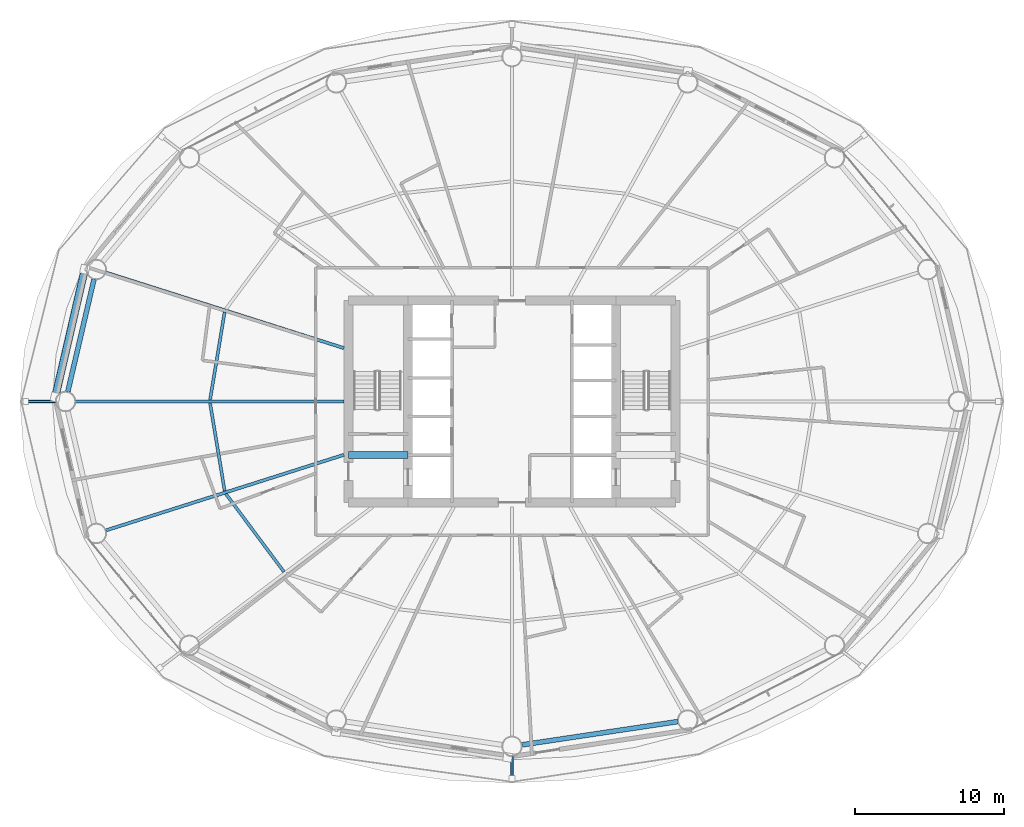
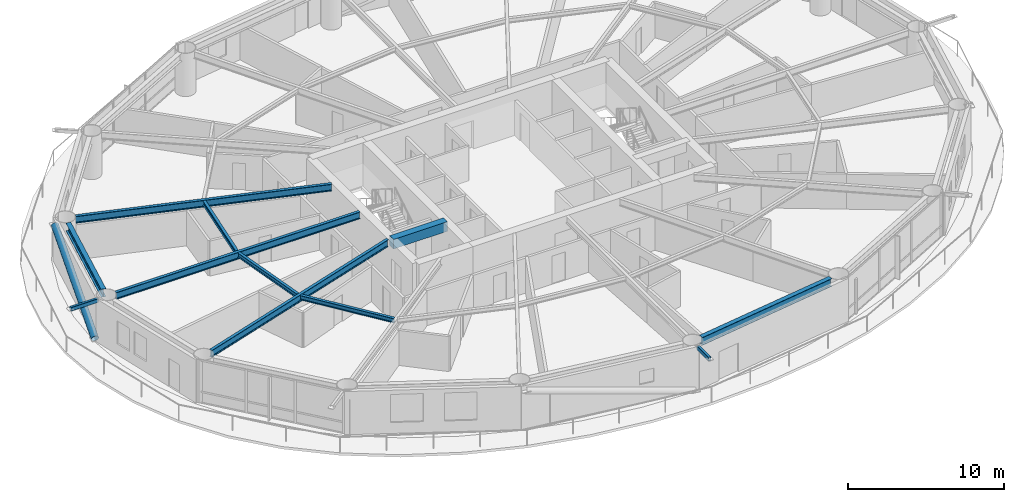
# One storey, part 5 of 26: 9 beams, 3 members.
"""IFC4 building model written with IfcOpenShell, lengths in metres."""

from ifc_helpers import new_model, si_unit, direction, frame, origin, origin_2d, place, context, subcontext, project, spatial, rectangle, hollow_rectangle, hollow_circle, i_section, extrude, material, material_profile, profile_set, type_object, element, save


model = new_model("IFC4")

# Units and contexts
model_context = context("Model", 3, precision=1e-05, world=origin(), true_north=direction((0.0, 1.0)))
body_context = subcontext(model_context, "Body", "Model", "MODEL_VIEW")
ifc_project = project(units=[si_unit("LENGTHUNIT", "METRE"), si_unit("AREAUNIT", "SQUARE_METRE"), si_unit("VOLUMEUNIT", "CUBIC_METRE"), si_unit("PLANEANGLEUNIT", "RADIAN"), si_unit("MASSUNIT", "GRAM", prefix="KILO")], contexts=[model_context])

# Site, building, storey
site_placement = place(None, origin())
site = spatial("IfcSite", under=ifc_project, at=site_placement, CompositionType="ELEMENT")
building_placement = place(site_placement, origin())
building = spatial("IfcBuilding", under=site, at=building_placement, Name="Sarneth Arch Tower", CompositionType="ELEMENT")
storey_placement = place(building_placement, frame((0.0, 0.0, 57.0)))
storey = spatial("IfcBuildingStorey", under=building, at=storey_placement, Name="L13", CompositionType="ELEMENT", Elevation=57.0)

# Beams
ifc_material_1 = material(Name="Steel S355", Category="steel")
ifc_material_profile_1 = material_profile(ifc_material_1, i_section(OverallWidth=0.2041015625, OverallDepth=0.35009765625, WebThickness=0.008544921875, FlangeThickness=0.01513671875, FilletRadius=0.014892578125, at=origin_2d()), Name="W360x72")
ifc_profile_set_1 = profile_set([ifc_material_profile_1], Name="Steel S355")
beam_type_1 = type_object("IfcBeamType", Name="BM-JOIST-360D", PredefinedType="JOIST", material=ifc_profile_set_1)
for number, where, z_axis, x_axis, name in (
    (1, (28.67138671875, 48.025146484375, 3.205078125), (-0.163917352659, -0.986474075431, 0.0), (0.986474075431, -0.163917352659, 0.0), "L13 Secondary floor joist 08"),
    (2, (27.687744140625, 41.89453125, 3.205078125), (0.163917352659, -0.986474075431, 0.0), (0.986474075431, 0.163917352659, 0.0), "L13 Secondary floor joist 09"),
):
    element("IfcBeam", number, at=place(storey_placement, frame(where, z_axis=z_axis, x_axis=x_axis)), inside=storey, type_object=beam_type_1, Name=name, PredefinedType="JOIST", context=body_context, shape_type="SweptSolid", body=[
        extrude(i_section(OverallWidth=0.2041015625, OverallDepth=0.35009765625, WebThickness=0.008544921875, FlangeThickness=0.01513671875, FilletRadius=0.014892578125, at=origin_2d()), origin(), (0.0, 0.0, 1.0), 6.000732421875),
    ])
beam_1_placement = place(storey_placement, frame((28.7529296875, 35.783447265625, 3.205078125), z_axis=(0.597453564101, -0.801903509621, 0.0), x_axis=(0.801903509621, 0.597453564101, 0.0)))
element("IfcBeam", 3, at=beam_1_placement, inside=storey, type_object=beam_type_1, Name="L13 Secondary floor joist 10", PredefinedType="JOIST", context=body_context, shape_type="SweptSolid", body=[
    extrude(i_section(OverallWidth=0.2041015625, OverallDepth=0.35009765625, WebThickness=0.008544921875, FlangeThickness=0.01513671875, FilletRadius=0.014892578125, at=origin_2d()), origin(), (0.0, 0.0, 1.0), 6.542724609375),
])
ifc_material_2 = material(Name="Concrete C50/60", Category="concrete")
ifc_material_profile_2 = material_profile(ifc_material_2, rectangle(XDim=0.5, YDim=0.75, at=origin_2d()), Name="RC-500x750")
ifc_profile_set_2 = profile_set([ifc_material_profile_2], Name="Concrete C50/60")
beam_type_2 = type_object("IfcBeamType", Name="BM-LINTEL-RC", PredefinedType="LINTEL", material=ifc_profile_set_2)
beam_2_placement = place(storey_placement, frame((37.0, 38.39990234375, 3.0048828125), z_axis=(1.0, 0.0, 0.0), x_axis=(0.0, 1.0, 0.0)))
element("IfcBeam", 4, at=beam_2_placement, inside=storey, type_object=beam_type_2, Name="L13 Core coupling lintel W", PredefinedType="LINTEL", context=body_context, shape_type="SweptSolid", body=[
    extrude(rectangle(XDim=0.5, YDim=0.75, at=origin_2d()), origin(), (0.0, 0.0, 1.0), 4.0),
])
ifc_material_3 = material(Name="Steel S355", Category="steel")
ifc_material_profile_3 = material_profile(ifc_material_3, i_section(OverallWidth=0.214111328125, OverallDepth=0.549072265625, WebThickness=0.0146484375, FlangeThickness=0.023681640625, FilletRadius=0.01806640625, at=origin_2d()), Name="W530x138")
ifc_profile_set_3 = profile_set([ifc_material_profile_3], Name="Steel S355")
beam_type_3 = type_object("IfcBeamType", Name="BM-RAD-530A", PredefinedType="BEAM", material=ifc_profile_set_3)
beam_3_placement = place(storey_placement, frame((36.699951171875, 45.58740234375, 3.10546875), z_axis=(-0.953119945629, 0.302592744864, 0.0), x_axis=(-0.302592744864, -0.953119945629, 0.0)))
element("IfcBeam", 5, at=beam_3_placement, inside=storey, type_object=beam_type_3, Name="L13 Radial floor girder 08", PredefinedType="BEAM", context=body_context, shape_type="SweptSolid", body=[
    extrude(i_section(OverallWidth=0.214111328125, OverallDepth=0.549072265625, WebThickness=0.0146484375, FlangeThickness=0.023681640625, FilletRadius=0.01806640625, at=origin_2d()), origin(), (0.0, 0.0, 1.0), 16.810302734375),
])
beam_4_placement = place(storey_placement, frame((36.699951171875, 42.0, 3.10546875), z_axis=(-1.0, 0.0, 0.0), x_axis=(0.0, -1.0, 0.0)))
element("IfcBeam", 6, at=beam_4_placement, inside=storey, type_object=beam_type_3, Name="L13 Radial floor girder 09", PredefinedType="BEAM", context=body_context, shape_type="SweptSolid", body=[
    extrude(i_section(OverallWidth=0.214111328125, OverallDepth=0.549072265625, WebThickness=0.0146484375, FlangeThickness=0.023681640625, FilletRadius=0.01806640625, at=origin_2d()), origin(), (0.0, 0.0, 1.0), 18.059814453125),
])
beam_5_placement = place(storey_placement, frame((36.699951171875, 38.41259765625, 3.10546875), z_axis=(-0.953119945629, -0.302592744864, 0.0), x_axis=(0.302592744864, -0.953119945629, 0.0)))
element("IfcBeam", 7, at=beam_5_placement, inside=storey, type_object=beam_type_3, Name="L13 Radial floor girder 10", PredefinedType="BEAM", context=body_context, shape_type="SweptSolid", body=[
    extrude(i_section(OverallWidth=0.214111328125, OverallDepth=0.549072265625, WebThickness=0.0146484375, FlangeThickness=0.023681640625, FilletRadius=0.01806640625, at=origin_2d()), origin(), (0.0, 0.0, 1.0), 16.810302734375),
])
ifc_material_4 = material(Name="Steel S355", Category="steel")
ifc_material_profile_4 = material_profile(ifc_material_4, i_section(OverallWidth=0.326904296875, OverallDepth=0.6220703125, WebThickness=0.015380859375, FlangeThickness=0.0244140625, FilletRadius=0.01904296875, at=origin_2d()), Name="W610x195")
ifc_profile_set_4 = profile_set([ifc_material_profile_4], Name="Steel S355")
beam_type_4 = type_object("IfcBeamType", Name="BM-SPAN-610A", PredefinedType="SPANDREL", material=ifc_profile_set_4)
beam_6_placement = place(storey_placement, frame((19.88134765625, 50.220947265625, 3.069091796875), z_axis=(-0.227001042423, -0.973894515201, 0.0), x_axis=(0.973894515201, -0.227001042423, 0.0)))
element("IfcBeam", 8, at=beam_6_placement, inside=storey, type_object=beam_type_4, Name="L13 Perimeter spandrel beam 08", PredefinedType="SPANDREL", context=body_context, shape_type="SweptSolid", body=[
    extrude(i_section(OverallWidth=0.326904296875, OverallDepth=0.6220703125, WebThickness=0.015380859375, FlangeThickness=0.0244140625, FilletRadius=0.01904296875, at=origin_2d()), origin(), (0.0, 0.0, 1.0), 7.76611328125),
])
beam_7_placement = place(storey_placement, frame((48.66748046875, 18.899658203125, 3.069091796875), z_axis=(0.989015788086, 0.147809914809, 0.0), x_axis=(-0.147809914809, 0.989015788086, 0.0)))
element("IfcBeam", 9, at=beam_7_placement, inside=storey, type_object=beam_type_4, Name="L13 Perimeter spandrel beam 13", PredefinedType="SPANDREL", context=body_context, shape_type="SweptSolid", body=[
    extrude(i_section(OverallWidth=0.326904296875, OverallDepth=0.6220703125, WebThickness=0.015380859375, FlangeThickness=0.0244140625, FilletRadius=0.01904296875, at=origin_2d()), origin(), (0.0, 0.0, 1.0), 10.59912109375),
])

# Members
ifc_material_5 = material(Name="Steel S355", Category="steel")
ifc_material_profile_5 = material_profile(ifc_material_5, hollow_rectangle(XDim=0.199951171875, YDim=0.300048828125, WallThickness=0.012451171875, InnerFilletRadius=0.018798828125, OuterFilletRadius=0.03125, at=origin_2d()), Name="RHS300x200x12.5")
ifc_profile_set_5 = profile_set([ifc_material_profile_5], Name="Steel S355")
member_type_1 = type_object("IfcMemberType", Name="MEM-CANT-STRUT", PredefinedType="STRUT", material=ifc_profile_set_5)
member_1_placement = place(storey_placement, frame((17.290283203125, 42.0, 3.219970703125), z_axis=(-1.0, 0.0, 0.0), x_axis=(0.0, -1.0, 0.0)))
element("IfcMember", 10, at=member_1_placement, inside=storey, type_object=member_type_1, Name="L13 Balcony cantilever bracket 09", PredefinedType="STRUT", context=body_context, shape_type="SweptSolid", body=[
    extrude(hollow_rectangle(XDim=0.199951171875, YDim=0.300048828125, WallThickness=0.012451171875, InnerFilletRadius=0.018798828125, OuterFilletRadius=0.03125, at=origin_2d()), origin(), (0.0, 0.0, 1.0), 2.01171875),
])
member_2_placement = place(storey_placement, frame((48.0, 18.125, 3.219970703125), z_axis=(0.0, -1.0, 0.0), x_axis=(1.0, 0.0, 0.0)))
element("IfcMember", 11, at=member_2_placement, inside=storey, type_object=member_type_1, Name="L13 Balcony cantilever bracket 13", PredefinedType="STRUT", context=body_context, shape_type="SweptSolid", body=[
    extrude(hollow_rectangle(XDim=0.199951171875, YDim=0.300048828125, WallThickness=0.012451171875, InnerFilletRadius=0.018798828125, OuterFilletRadius=0.03125, at=origin_2d()), origin(), (0.0, 0.0, 1.0), 1.488525390625),
])
ifc_material_6 = material(Name="Steel S355", Category="steel")
ifc_material_profile_6 = material_profile(ifc_material_6, hollow_circle(Radius=0.25390625, WallThickness=0.01611328125, at=origin_2d()), Name="CHS508x16")
ifc_profile_set_6 = profile_set([ifc_material_profile_6], Name="Steel S355")
member_type_2 = type_object("IfcMemberType", Name="MEM-DIAG-BR1", PredefinedType="BRACE", material=ifc_profile_set_6)
member_3_placement = place(storey_placement, frame((17.274658203125, 42.292236328125, 0.02001953125), z_axis=(0.213332307958, 0.922814312474, 0.320785085492), x_axis=(-0.974304339016, 0.225235554419, 0.0)))
element("IfcMember", 12, at=member_3_placement, inside=storey, type_object=member_type_2, Name="L13 Perimeter frame diagonal 08", PredefinedType="BRACE", context=body_context, shape_type="SweptSolid", body=[
    extrude(hollow_circle(Radius=0.25390625, WallThickness=0.01611328125, at=origin_2d()), origin(), (0.0, 0.0, 1.0), 9.31103515625),
])

save(model, "model.ifc")
